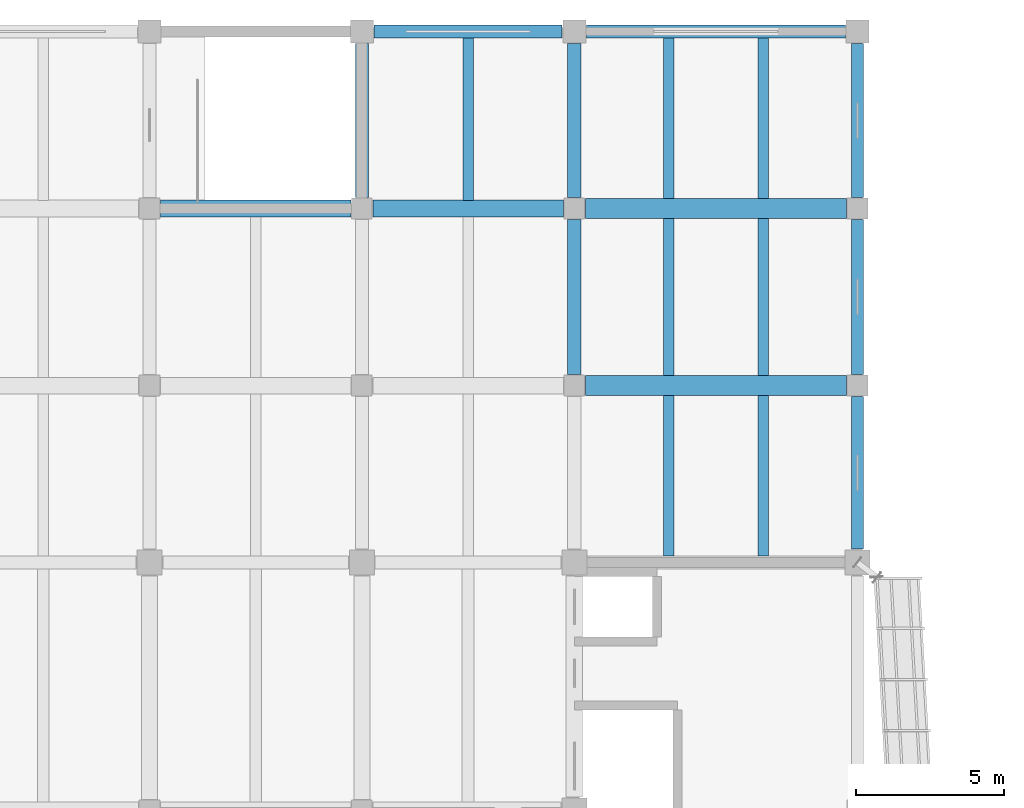
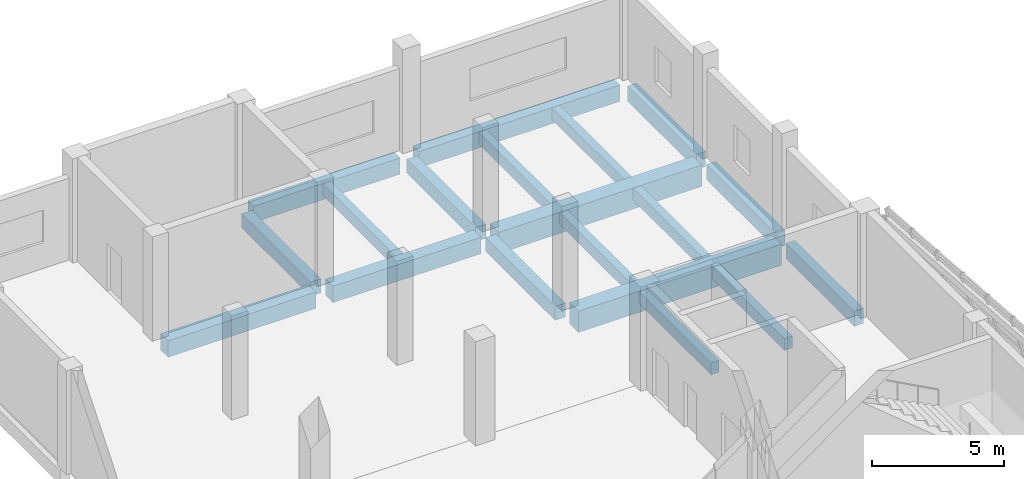
# One storey, part 49 of 91: 19 beams.
"""IFC4 building model written with IfcOpenShell, lengths in metres."""

from ifc_helpers import new_model, si_unit, direction, frame, origin, origin_2d, place, context, subcontext, project, spatial, rectangle, extrude, material, material_profile, profile_set, type_object, element, save


model = new_model("IFC4")

# Units and contexts
model_context = context("Model", 3, precision=1e-05, world=origin(), true_north=direction((0.0, 1.0)))
body_context = subcontext(model_context, "Body", "Model", "MODEL_VIEW")
ifc_project = project(units=[si_unit("LENGTHUNIT", "METRE"), si_unit("AREAUNIT", "SQUARE_METRE"), si_unit("VOLUMEUNIT", "CUBIC_METRE"), si_unit("PLANEANGLEUNIT", "RADIAN"), si_unit("MASSUNIT", "GRAM", prefix="KILO")], contexts=[model_context])

# Site, building, storey
site_placement = place(None, origin())
site = spatial("IfcSite", under=ifc_project, at=site_placement, CompositionType="ELEMENT")
building_placement = place(site_placement, origin())
building = spatial("IfcBuilding", under=site, at=building_placement, Name="Pellamere Symphony Hall", CompositionType="ELEMENT")
storey_placement = place(building_placement, frame((0.0, 0.0, 5.39990234375)))
storey = spatial("IfcBuildingStorey", under=building, at=storey_placement, Name="L01", CompositionType="ELEMENT", Elevation=5.39990234375)

# Beams
ifc_material_1 = material(Name="Concrete 40 MPa", Category="concrete")
ifc_material_profile_1 = material_profile(ifc_material_1, rectangle(XDim=0.449951171875, YDim=0.64990234375, at=origin_2d()), Name="RC 450x650")
ifc_profile_set_1 = profile_set([ifc_material_profile_1], Name="Concrete 40 MPa")
beam_type_1 = type_object("IfcBeamType", Name="RC CB-08 450x650", PredefinedType="BEAM", material=ifc_profile_set_1)
beam_1_placement = place(storey_placement, frame((102.0, 105.97509765625, -0.60498046875), z_axis=(0.0, 1.0, 0.0), x_axis=(-1.0, 0.0, 0.0)))
element("IfcBeam", 1, at=beam_1_placement, inside=storey, type_object=beam_type_1, Name="Girder CB-08-Y0809 (L01)", PredefinedType="BEAM", context=body_context, shape_type="SweptSolid", body=[
    extrude(rectangle(XDim=0.449951171875, YDim=0.64990234375, at=origin_2d()), origin(), (0.0, 0.0, 1.0), 5.21484375),
])
beam_2_placement = place(storey_placement, frame((109.199951171875, 99.97509765625, -0.60498046875), z_axis=(0.0, 1.0, 0.0), x_axis=(-1.0, 0.0, 0.0)))
element("IfcBeam", 2, at=beam_2_placement, inside=storey, type_object=beam_type_1, Name="Girder CB-08-Y0821 (L01)", PredefinedType="BEAM", context=body_context, shape_type="SweptSolid", body=[
    extrude(rectangle(XDim=0.449951171875, YDim=0.64990234375, at=origin_2d()), origin(), (0.0, 0.0, 1.0), 5.25),
])
beam_3_placement = place(storey_placement, frame((109.199951171875, 105.97509765625, -0.60498046875), z_axis=(0.0, 1.0, 0.0), x_axis=(-1.0, 0.0, 0.0)))
element("IfcBeam", 3, at=beam_3_placement, inside=storey, type_object=beam_type_1, Name="Girder CB-08-Y0822 (L01)", PredefinedType="BEAM", context=body_context, shape_type="SweptSolid", body=[
    extrude(rectangle(XDim=0.449951171875, YDim=0.64990234375, at=origin_2d()), origin(), (0.0, 0.0, 1.0), 5.21484375),
])
ifc_material_2 = material(Name="Concrete 35 MPa", Category="concrete")
ifc_material_profile_2 = material_profile(ifc_material_2, rectangle(XDim=0.35009765625, YDim=0.550048828125, at=origin_2d()), Name="RC 350x550")
ifc_profile_set_2 = profile_set([ifc_material_profile_2], Name="Concrete 35 MPa")
beam_type_2 = type_object("IfcBeamType", Name="RC CB-10 350x550", PredefinedType="BEAM", material=ifc_profile_set_2)
beam_4_placement = place(storey_placement, frame((105.60009765625, 105.8798828125, -0.56982421875), z_axis=(0.0, 1.0, 0.0), x_axis=(-1.0, 0.0, 0.0)))
element("IfcBeam", 4, at=beam_4_placement, inside=storey, type_object=beam_type_2, Name="Secondary Floor Beam CB-10-M1314 (L01)", PredefinedType="BEAM", context=body_context, shape_type="SweptSolid", body=[
    extrude(rectangle(XDim=0.35009765625, YDim=0.550048828125, at=origin_2d()), origin(), (0.0, 0.0, 1.0), 5.4951171875),
])
for number, where, z_axis, x_axis, name in (
    (5, (112.39990234375, 93.824951171875, -0.56982421875), (0.0, 1.0, 0.0), (-1.0, 0.0, 0.0), "Secondary Floor Beam CB-10-A1412 (L01)"),
    (6, (115.60009765625, 93.824951171875, -0.56982421875), (0.0, 1.0, 0.0), (-1.0, 0.0, 0.0), "Secondary Floor Beam CB-10-B1412 (L01)"),
):
    element("IfcBeam", number, at=place(storey_placement, frame(where, z_axis=z_axis, x_axis=x_axis)), inside=storey, type_object=beam_type_2, Name=name, PredefinedType="BEAM", context=body_context, shape_type="SweptSolid", body=[
        extrude(rectangle(XDim=0.35009765625, YDim=0.550048828125, at=origin_2d()), origin(), (0.0, 0.0, 1.0), 5.43505859375),
    ])
for number, where, z_axis, x_axis, name in (
    (7, (112.39990234375, 99.93994140625, -0.56982421875), (0.0, 1.0, 0.0), (-1.0, 0.0, 0.0), "Secondary Floor Beam CB-10-A1413 (L01)"),
    (8, (115.60009765625, 99.93994140625, -0.56982421875), (0.0, 1.0, 0.0), (-1.0, 0.0, 0.0), "Secondary Floor Beam CB-10-B1413 (L01)"),
):
    element("IfcBeam", number, at=place(storey_placement, frame(where, z_axis=z_axis, x_axis=x_axis)), inside=storey, type_object=beam_type_2, Name=name, PredefinedType="BEAM", context=body_context, shape_type="SweptSolid", body=[
        extrude(rectangle(XDim=0.35009765625, YDim=0.550048828125, at=origin_2d()), origin(), (0.0, 0.0, 1.0), 5.320068359375),
    ])
for number, where, z_axis, x_axis, name in (
    (9, (112.39990234375, 105.93994140625, -0.56982421875), (0.0, 1.0, 0.0), (-1.0, 0.0, 0.0), "Secondary Floor Beam CB-10-A1414 (L01)"),
    (10, (115.60009765625, 105.93994140625, -0.56982421875), (0.0, 1.0, 0.0), (-1.0, 0.0, 0.0), "Secondary Floor Beam CB-10-B1414 (L01)"),
):
    element("IfcBeam", number, at=place(storey_placement, frame(where, z_axis=z_axis, x_axis=x_axis)), inside=storey, type_object=beam_type_2, Name=name, PredefinedType="BEAM", context=body_context, shape_type="SweptSolid", body=[
        extrude(rectangle(XDim=0.35009765625, YDim=0.550048828125, at=origin_2d()), origin(), (0.0, 0.0, 1.0), 5.43505859375),
    ])
ifc_material_profile_3 = material_profile(ifc_material_1, rectangle(XDim=0.449951171875, YDim=0.75, at=origin_2d()), Name="RC 450x750")
ifc_profile_set_3 = profile_set([ifc_material_profile_3], Name="Concrete 40 MPa")
beam_type_3 = type_object("IfcBeamType", Name="RC CB-12 450x750", PredefinedType="SPANDREL", material=ifc_profile_set_3)
beam_5_placement = place(storey_placement, frame((102.409912109375, 111.60009765625, -0.65478515625), z_axis=(1.0, 0.0, 0.0), x_axis=(0.0, 1.0, 0.0)))
element("IfcBeam", 11, at=beam_5_placement, inside=storey, type_object=beam_type_3, Name="Girder CB-12-X0711 (L01)", PredefinedType="SPANDREL", context=body_context, shape_type="SweptSolid", body=[
    extrude(rectangle(XDim=0.449951171875, YDim=0.75, at=origin_2d()), origin(), (0.0, 0.0, 1.0), 6.380126953125),
])
beam_6_placement = place(storey_placement, frame((109.610107421875, 111.60009765625, -0.65478515625), z_axis=(1.0, 0.0, 0.0), x_axis=(0.0, 1.0, 0.0)))
element("IfcBeam", 12, at=beam_6_placement, inside=storey, type_object=beam_type_3, Name="Girder CB-12-X0712 (L01)", PredefinedType="SPANDREL", context=body_context, shape_type="SweptSolid", body=[
    extrude(rectangle(XDim=0.449951171875, YDim=0.75, at=origin_2d()), origin(), (0.0, 0.0, 1.0), 8.77978515625),
])
ifc_material_profile_4 = material_profile(ifc_material_1, rectangle(XDim=0.39990234375, YDim=0.699951171875, at=origin_2d()), Name="RC 400x700")
ifc_profile_set_4 = profile_set([ifc_material_profile_4], Name="Concrete 40 MPa")
beam_type_4 = type_object("IfcBeamType", Name="RC CB-13 400x700", PredefinedType="SPANDREL", material=ifc_profile_set_4)
beam_7_placement = place(storey_placement, frame((118.800048828125, 94.050048828125, -0.6298828125), z_axis=(0.0, 1.0, 0.0), x_axis=(-1.0, 0.0, 0.0)))
element("IfcBeam", 13, at=beam_7_placement, inside=storey, type_object=beam_type_4, Name="Girder CB-13-Y0832 (L01)", PredefinedType="SPANDREL", context=body_context, shape_type="SweptSolid", body=[
    extrude(rectangle(XDim=0.39990234375, YDim=0.699951171875, at=origin_2d()), origin(), (0.0, 0.0, 1.0), 5.175048828125),
])
beam_8_placement = place(storey_placement, frame((118.800048828125, 99.97509765625, -0.6298828125), z_axis=(0.0, 1.0, 0.0), x_axis=(-1.0, 0.0, 0.0)))
element("IfcBeam", 14, at=beam_8_placement, inside=storey, type_object=beam_type_4, Name="Girder CB-13-Y0833 (L01)", PredefinedType="SPANDREL", context=body_context, shape_type="SweptSolid", body=[
    extrude(rectangle(XDim=0.39990234375, YDim=0.699951171875, at=origin_2d()), origin(), (0.0, 0.0, 1.0), 5.25),
])
beam_9_placement = place(storey_placement, frame((118.800048828125, 105.97509765625, -0.6298828125), z_axis=(0.0, 1.0, 0.0), x_axis=(-1.0, 0.0, 0.0)))
element("IfcBeam", 15, at=beam_9_placement, inside=storey, type_object=beam_type_4, Name="Girder CB-13-Y0834 (L01)", PredefinedType="SPANDREL", context=body_context, shape_type="SweptSolid", body=[
    extrude(rectangle(XDim=0.39990234375, YDim=0.699951171875, at=origin_2d()), origin(), (0.0, 0.0, 1.0), 5.21484375),
])
ifc_material_profile_5 = material_profile(ifc_material_1, rectangle(XDim=0.56005859375, YDim=0.760009765625, at=origin_2d()), Name="RC 560x760")
ifc_profile_set_5 = profile_set([ifc_material_profile_5], Name="Concrete 40 MPa")
beam_type_5 = type_object("IfcBeamType", Name="RC CB-18 560x760", PredefinedType="BEAM", material=ifc_profile_set_5)
for number, where, z_axis, x_axis, name in (
    (16, (95.175048828125, 105.60009765625, -0.659912109375), (1.0, 0.0, 0.0), (0.0, 1.0, 0.0), "Girder CB-18-X0707 (L01)"),
    (17, (102.375, 105.60009765625, -0.659912109375), (1.0, 0.0, 0.0), (0.0, 1.0, 0.0), "Girder CB-18-X0708 (L01)"),
):
    element("IfcBeam", number, at=place(storey_placement, frame(where, z_axis=z_axis, x_axis=x_axis)), inside=storey, type_object=beam_type_5, Name=name, PredefinedType="BEAM", context=body_context, shape_type="SweptSolid", body=[
        extrude(rectangle(XDim=0.56005859375, YDim=0.760009765625, at=origin_2d()), origin(), (0.0, 0.0, 1.0), 6.449951171875),
    ])
ifc_material_profile_6 = material_profile(ifc_material_1, rectangle(XDim=0.679931640625, YDim=0.97998046875, at=origin_2d()), Name="RC 680x980")
ifc_profile_set_6 = profile_set([ifc_material_profile_6], Name="Concrete 40 MPa")
beam_type_6 = type_object("IfcBeamType", Name="RC CB-22 680x980", PredefinedType="BEAM", material=ifc_profile_set_6)
for number, where, z_axis, x_axis, name in (
    (18, (109.574951171875, 99.60009765625, -0.77001953125), (1.0, 0.0, 0.0), (0.0, 1.0, 0.0), "Girder CB-22-X0700 (L01)"),
    (19, (109.574951171875, 105.60009765625, -0.77001953125), (1.0, 0.0, 0.0), (0.0, 1.0, 0.0), "Girder CB-22-X0709 (L01)"),
):
    element("IfcBeam", number, at=place(storey_placement, frame(where, z_axis=z_axis, x_axis=x_axis)), inside=storey, type_object=beam_type_6, Name=name, PredefinedType="BEAM", context=body_context, shape_type="SweptSolid", body=[
        extrude(rectangle(XDim=0.679931640625, YDim=0.97998046875, at=origin_2d()), origin(), (0.0, 0.0, 1.0), 8.85009765625),
    ])

save(model, "model.ifc")
